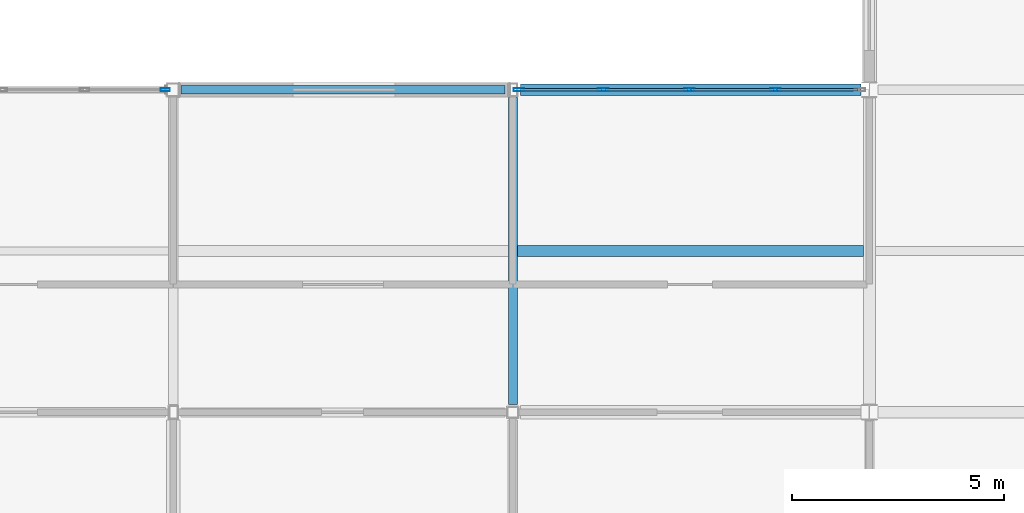
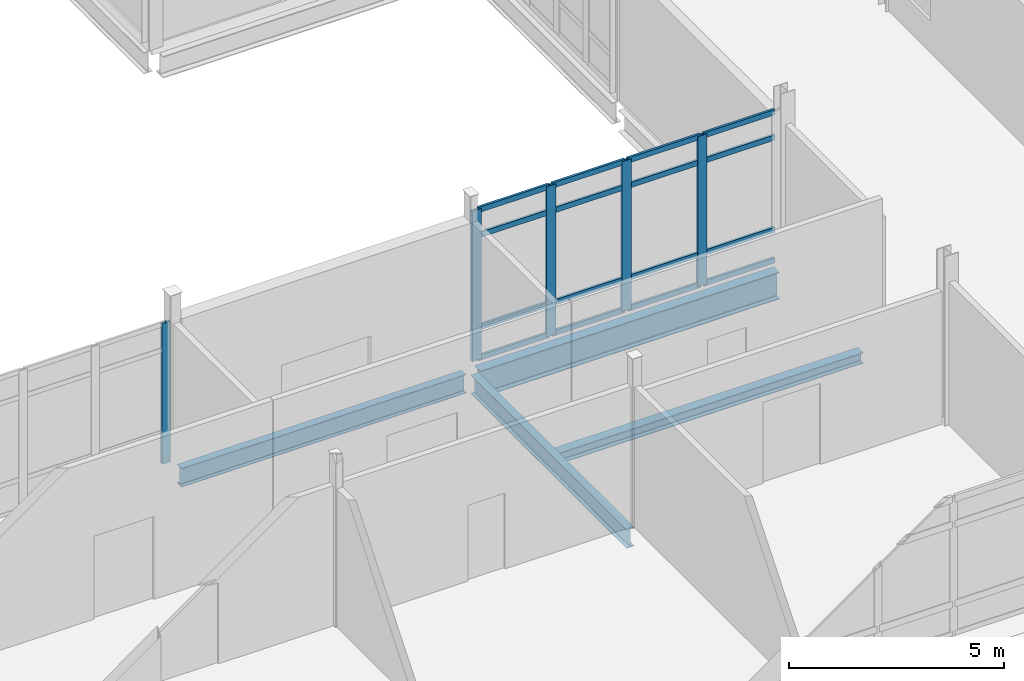
# One storey, part 72 of 186: 21 members, 4 beams, 2 elements without a shape of their own.
"""IFC4 building model written with IfcOpenShell, lengths in metres."""

import ifcopenshell
import ifcopenshell.guid

model = None  # the IFC model being written
_history = None  # IfcOwnerHistory: only IFC2X3 demands one
_inside = {}  # id of a spatial element -> (the spatial element, [elements in it])
_under = {}  # id of a project, library or spatial element -> (it, [spatial elements below it])
_declared = {}  # id of a project -> (the project, [libraries it declares])
_typed = {}  # id of a type object -> (the type object, [elements of that type])
_made_of = {}  # id of a material, layer set ... -> (it, [elements and type objects made of it])


def new_model(schema):
    """Start an empty IFC model of exactly this schema.

    Asked for "IFC4X3", IfcOpenShell would pick the latest addendum, in which some entities
    have other attributes; the version numbers below select the first issue.
    IFC2X3 requires an IfcOwnerHistory on every rooted entity: one is made here for all.
    """
    global model, _history
    if schema == "IFC4X3":
        model = ifcopenshell.file(schema_version=(4, 3, 0, 0))
    else:
        model = ifcopenshell.file(schema=schema)
    _inside.clear()
    _under.clear()
    _declared.clear()
    _typed.clear()
    _made_of.clear()
    _history = None
    if model.schema == "IFC2X3":
        org = make("IfcOrganization", Name="unknown")
        user = make(
            "IfcPersonAndOrganization",
            ThePerson=make("IfcPerson", FamilyName="unknown"),
            TheOrganization=org,
        )
        app = make(
            "IfcApplication",
            ApplicationDeveloper=org,
            Version="unknown",
            ApplicationFullName="unknown",
            ApplicationIdentifier="unknown",
        )
        _history = make(
            "IfcOwnerHistory",
            OwningUser=user,
            OwningApplication=app,
            ChangeAction="ADDED",
            CreationDate=0,
        )
    return model


def make(cls, **values):
    """One entity of the class cls with the attributes given. An attribute that is None is left unset."""
    return model.create_entity(
        cls, **{name: value for name, value in values.items() if value is not None}
    )


def rooted(cls, **values):
    """An entity with a GlobalId (a new one), such as an element, a storey or a relation."""
    return make(cls, GlobalId=ifcopenshell.guid.new(), OwnerHistory=_history, **values)


def si_unit(unit_type, name, prefix=None):
    """IfcSIUnit, for example si_unit("LENGTHUNIT", "METRE", prefix="MILLI")."""
    return make("IfcSIUnit", UnitType=unit_type, Prefix=prefix, Name=name)


def assignment(units):
    """IfcUnitAssignment: the units of a project."""
    return None if units is None else make("IfcUnitAssignment", Units=units)


def point(xyz):
    """IfcCartesianPoint."""
    return None if xyz is None else make("IfcCartesianPoint", Coordinates=xyz)


def direction(xyz):
    """IfcDirection."""
    return None if xyz is None else make("IfcDirection", DirectionRatios=xyz)


def frame(location, z_axis=None, x_axis=None):
    """IfcAxis2Placement3D, a coordinate frame: its origin and axes. An axis left out is left unset."""
    return make(
        "IfcAxis2Placement3D",
        Location=point(location),
        Axis=direction(z_axis),
        RefDirection=direction(x_axis),
    )


def frame_2d(location, x_axis=None):
    """IfcAxis2Placement2D, a coordinate frame in the plane: its origin and x axis."""
    return make(
        "IfcAxis2Placement2D", Location=point(location), RefDirection=direction(x_axis)
    )


def origin():
    """The frame at (0, 0, 0) with its axes left unset."""
    return frame((0.0, 0.0, 0.0))


def origin_2d():
    """The frame at (0, 0) in the plane with its x axis left unset."""
    return frame_2d((0.0, 0.0))


def place(relative_to, where):
    """IfcLocalPlacement: puts the frame where relative to a parent placement (None: the world)."""
    return make(
        "IfcLocalPlacement", PlacementRelTo=relative_to, RelativePlacement=where
    )


def context(
    kind, dimensions, precision=None, world=None, true_north=None, identifier=None
):
    """IfcGeometricRepresentationContext, for example the 3D "Model" context."""
    return make(
        "IfcGeometricRepresentationContext",
        ContextIdentifier=identifier,
        ContextType=kind,
        CoordinateSpaceDimension=dimensions,
        Precision=precision,
        WorldCoordinateSystem=world,
        TrueNorth=true_north,
    )


def subcontext(parent, identifier, kind, view, scale=None):
    """IfcGeometricRepresentationSubContext, for example "Body" below "Model"."""
    return make(
        "IfcGeometricRepresentationSubContext",
        ContextIdentifier=identifier,
        ContextType=kind,
        ParentContext=parent,
        TargetScale=scale,
        TargetView=view,
    )


def project(units=None, contexts=None):
    """IfcProject with its units and contexts."""
    return rooted(
        "IfcProject",
        Name="project",
        RepresentationContexts=contexts,
        UnitsInContext=assignment(units),
    )


def spatial(cls, under=None, at=None, **own):
    """A site, building, storey or space (cls), placed at a placement, below another one or the project."""
    s = rooted(cls, ObjectPlacement=at, **own)
    if under is not None:
        _under.setdefault(under.id(), (under, []))[1].append(s)
    return s


def profile(cls, at=None, kind="AREA", **sizes):
    """A parametric profile (cls). Its sizes go by their IFC names, for example OverallWidth=200.0."""
    return make(cls, ProfileType=kind, Position=at, **sizes)


def hollow_rectangle(**sizes):
    """IfcRectangleHollowProfileDef."""
    return profile("IfcRectangleHollowProfileDef", **sizes)


def i_section(**sizes):
    """IfcIShapeProfileDef."""
    return profile("IfcIShapeProfileDef", **sizes)


def extrude(swept, where, along, depth):
    """IfcExtrudedAreaSolid: the profile swept, set in the frame where, extruded along a direction by depth."""
    return make(
        "IfcExtrudedAreaSolid",
        SweptArea=swept,
        Position=where,
        ExtrudedDirection=direction(along),
        Depth=depth,
    )


def shape(context_of_items, identifier, shape_type, items):
    """IfcShapeRepresentation: the items that make up one representation, for example the "Body"."""
    return make(
        "IfcShapeRepresentation",
        ContextOfItems=context_of_items,
        RepresentationIdentifier=identifier,
        RepresentationType=shape_type,
        Items=items,
    )


def material(Name=None, Category=None):
    """IfcMaterial."""
    return make("IfcMaterial", Name=Name, Category=Category)


def layer(
    of_material, thickness, ventilated=None, Name=None, Category=None, Priority=None
):
    """IfcMaterialLayer: one layer of a wall or slab, of a material (None: an air gap)."""
    return make(
        "IfcMaterialLayer",
        Material=of_material,
        LayerThickness=thickness,
        IsVentilated=ventilated,
        Name=Name,
        Category=Category,
        Priority=Priority,
    )


def layer_set(layers, Name=None):
    """IfcMaterialLayerSet."""
    return make("IfcMaterialLayerSet", MaterialLayers=layers, LayerSetName=Name)


def material_profile(
    of_material, cross_section, Name=None, Category=None, Priority=None
):
    """IfcMaterialProfile: a cross section and its material."""
    return make(
        "IfcMaterialProfile",
        Name=Name,
        Material=of_material,
        Profile=cross_section,
        Priority=Priority,
        Category=Category,
    )


def profile_set(profiles, Name=None, composite=None):
    """IfcMaterialProfileSet."""
    return make(
        "IfcMaterialProfileSet",
        Name=Name,
        MaterialProfiles=profiles,
        CompositeProfile=composite,
    )


def made_of(thing, what):
    """Note that an element or type object is made of a material, layer set ...; save() writes the relation."""
    if what is not None:
        _made_of.setdefault(what.id(), (what, []))[1].append(thing)
    return thing


def type_object(cls, material=None, **own):
    """A type object (cls), such as IfcWallType, which elements share."""
    return made_of(rooted(cls, **own), material)


def element(
    cls,
    number,
    at=None,
    inside=None,
    cuts=None,
    type_object=None,
    material=None,
    context=None,
    identifier="Body",
    shape_type=None,
    held_by="IfcProductDefinitionShape",
    body=None,
    shapes=None,
    **own,
):
    """One element of the class cls, such as IfcWall. Its Tag is "e" and its number.

    at: its placement. inside: the storey or other place that contains it. cuts: it is an
    opening in that element (IfcRelVoidsElement). A single representation is given by context,
    identifier, shape_type and body (its items); several are given by shapes. held_by: the class
    of the entity that holds the representations. save() writes the other relations.
    """
    e = rooted(cls, Tag="e%d" % number, ObjectPlacement=at, **own)
    if body is not None:
        shapes = [shape(context, identifier, shape_type, body)]
    if shapes is not None:
        e.Representation = make(held_by, Representations=shapes)
    if inside is not None:
        _inside.setdefault(inside.id(), (inside, []))[1].append(e)
    if cuts is not None:
        rooted(
            "IfcRelVoidsElement", RelatingBuildingElement=cuts, RelatedOpeningElement=e
        )
    if type_object is not None:
        _typed.setdefault(type_object.id(), (type_object, []))[1].append(e)
    return made_of(e, material)


def aggregate(whole, parts):
    """IfcRelAggregates: a whole, such as a stair, and the parts it consists of."""
    return rooted("IfcRelAggregates", RelatingObject=whole, RelatedObjects=parts)


def save(model, path):
    """Write the relations noted so far, then the file.

    IfcRelAggregates (storeys below a building ...), IfcRelContainedInSpatialStructure (elements
    in a storey), IfcRelDefinesByType, IfcRelAssociatesMaterial and IfcRelDeclares: one each for
    every whole, place, type object, material and project.
    """
    for whole, parts in _under.values():
        aggregate(whole, parts)
    for where, things in _inside.values():
        rooted(
            "IfcRelContainedInSpatialStructure",
            RelatedElements=things,
            RelatingStructure=where,
        )
    for kind, things in _typed.values():
        rooted("IfcRelDefinesByType", RelatedObjects=things, RelatingType=kind)
    for what, things in _made_of.values():
        rooted("IfcRelAssociatesMaterial", RelatedObjects=things, RelatingMaterial=what)
    for by, libraries in _declared.values():
        rooted("IfcRelDeclares", RelatingContext=by, RelatedDefinitions=libraries)
    model.write(path)


model = new_model("IFC4")

# Units and contexts
model_context = context("Model", 3, precision=1e-05, world=origin(), true_north=direction((0.0, 1.0)))
body_context = subcontext(model_context, "Body", "Model", "MODEL_VIEW")
ifc_project = project(units=[si_unit("LENGTHUNIT", "METRE"), si_unit("AREAUNIT", "SQUARE_METRE"), si_unit("VOLUMEUNIT", "CUBIC_METRE"), si_unit("PLANEANGLEUNIT", "RADIAN"), si_unit("MASSUNIT", "GRAM", prefix="KILO")], contexts=[model_context])

# Site, building, storey
site_placement = place(None, origin())
site = spatial("IfcSite", under=ifc_project, at=site_placement, CompositionType="ELEMENT")
building_placement = place(site_placement, origin())
building = spatial("IfcBuilding", under=site, at=building_placement, Name="Calvrana Isthmian Art Gallery", CompositionType="ELEMENT")
storey_placement = place(building_placement, frame((0.0, 0.0, 5.39990234375)))
storey = spatial("IfcBuildingStorey", under=building, at=storey_placement, Name="L01", CompositionType="ELEMENT", Elevation=5.39990234375)

# Beams
ifc_material_1 = material(Name="Steel ASTM A992 Gr 50", Category="steel")
ifc_material_profile_1 = material_profile(ifc_material_1, i_section(OverallWidth=0.208984375, OverallDepth=0.532958984375, WebThickness=0.01025390625, FlangeThickness=0.015625, FilletRadius=0.02099609375, at=origin_2d()), Name="W21X62")
ifc_profile_set_1 = profile_set([ifc_material_profile_1], Name="Steel ASTM A992 Gr 50")
beam_type_1 = type_object("IfcBeamType", Name="BM-G-W21X62", PredefinedType="BEAM", material=ifc_profile_set_1)
beam_1_placement = place(storey_placement, frame((96.58544921875, 62.0, -0.511474609375), z_axis=(1.0, 0.0, 0.0), x_axis=(0.0, 1.0, 0.0)))
element("IfcBeam", 1, at=beam_1_placement, inside=storey, type_object=beam_type_1, Name="Girder X L01 13-14/I", PredefinedType="BEAM", context=body_context, shape_type="SweptSolid", body=[
    extrude(i_section(OverallWidth=0.208984375, OverallDepth=0.532958984375, WebThickness=0.01025390625, FlangeThickness=0.015625, FilletRadius=0.02099609375, at=origin_2d()), origin(), (0.0, 0.0, 1.0), 7.630615234375),
])
beam_2_placement = place(storey_placement, frame((104.39990234375, 54.58642578125, -0.511474609375), z_axis=(0.0, 1.0, 0.0), x_axis=(-1.0, 0.0, 0.0)))
element("IfcBeam", 2, at=beam_2_placement, inside=storey, type_object=beam_type_1, Name="Girder Y L01 14/H-I", PredefinedType="BEAM", context=body_context, shape_type="SweptSolid", body=[
    extrude(i_section(OverallWidth=0.208984375, OverallDepth=0.532958984375, WebThickness=0.01025390625, FlangeThickness=0.015625, FilletRadius=0.02099609375, at=origin_2d()), origin(), (0.0, 0.0, 1.0), 7.235595703125),
])
ifc_material_profile_2 = material_profile(ifc_material_1, i_section(OverallWidth=0.26708984375, OverallDepth=0.761962890625, WebThickness=0.014404296875, FlangeThickness=0.021484375, FilletRadius=0.02490234375, at=origin_2d()), Name="W30X116")
ifc_profile_set_2 = profile_set([ifc_material_profile_2], Name="Steel ASTM A992 Gr 50")
beam_type_2 = type_object("IfcBeamType", Name="BM-G-W30X116", PredefinedType="BEAM", material=ifc_profile_set_2)
beam_3_placement = place(storey_placement, frame((104.583984375, 62.0, -0.64599609375), z_axis=(1.0, 0.0, 0.0), x_axis=(0.0, 1.0, 0.0)))
element("IfcBeam", 3, at=beam_3_placement, inside=storey, type_object=beam_type_2, Name="Girder X L01 14-15/I", PredefinedType="BEAM", context=body_context, shape_type="SweptSolid", body=[
    extrude(i_section(OverallWidth=0.26708984375, OverallDepth=0.761962890625, WebThickness=0.014404296875, FlangeThickness=0.021484375, FilletRadius=0.02490234375, at=origin_2d()), origin(), (0.0, 0.0, 1.0), 8.0166015625),
])
ifc_material_profile_3 = material_profile(ifc_material_1, i_section(OverallWidth=0.25390625, OverallDepth=0.306884765625, WebThickness=0.0087890625, FlangeThickness=0.0146484375, FilletRadius=0.01611328125, at=origin_2d()), Name="W12X53")
ifc_profile_set_3 = profile_set([ifc_material_profile_3], Name="Steel ASTM A992 Gr 50")
beam_type_3 = type_object("IfcBeamType", Name="BM-J-W12X53", PredefinedType="JOIST", material=ifc_profile_set_3)
beam_4_placement = place(storey_placement, frame((104.50439453125, 58.199951171875, -0.41845703125), z_axis=(1.0, 0.0, 0.0), x_axis=(0.0, 1.0, 0.0)))
element("IfcBeam", 4, at=beam_4_placement, inside=storey, type_object=beam_type_3, Name="Composite joist L01 bay 13-07", PredefinedType="JOIST", context=body_context, shape_type="SweptSolid", body=[
    extrude(i_section(OverallWidth=0.25390625, OverallDepth=0.306884765625, WebThickness=0.0087890625, FlangeThickness=0.0146484375, FilletRadius=0.01611328125, at=origin_2d()), origin(), (0.0, 0.0, 1.0), 8.156005859375),
])

# Curtain wall, member
ifc_material_2 = material(Name="Anodized bronze aluminium 6063-T6", Category="aluminium")
ifc_layer_1 = layer(ifc_material_2, 0.179931640625, Name="Anodized bronze aluminium 6063-T6")
ifc_layer_set_1 = layer_set([ifc_layer_1], Name="Anodized bronze aluminium 6063-T6")
curtain_wall_type_1 = type_object("IfcCurtainWallType", Name="CW-STICK-077X40", PredefinedType="NOTDEFINED", material=ifc_layer_set_1)
curtain_wall_1_placement = place(storey_placement, origin())
curtain_wall_1 = element("IfcCurtainWall", 5, at=curtain_wall_1_placement, inside=storey, type_object=curtain_wall_type_1, Name="Curtain wall CW-106", PredefinedType="NOTDEFINED")
ifc_material_profile_4 = material_profile(ifc_material_2, hollow_rectangle(XDim=0.074951171875, YDim=0.219970703125, WallThickness=0.0048828125, at=origin_2d()), Name="CWM75X220")
ifc_profile_set_4 = profile_set([ifc_material_profile_4], Name="Anodized bronze aluminium 6063-T6")
member_type_1 = type_object("IfcMemberType", Name="CWM-CWM75X220", PredefinedType="MULLION", material=ifc_profile_set_4)
member_1_placement = place(storey_placement, frame((96.210205078125, 62.0, 0.0), z_axis=(0.0, 0.0, 1.0), x_axis=(0.0, 1.0, 0.0)))
member_1 = element("IfcMember", 6, at=member_1_placement, type_object=member_type_1, Name="CW-106 mullion 5", PredefinedType="MULLION", context=body_context, shape_type="SweptSolid", body=[
    extrude(hollow_rectangle(XDim=0.074951171875, YDim=0.219970703125, WallThickness=0.0048828125, at=origin_2d()), origin(), (0.0, 0.0, 1.0), 3.987060546875),
])
aggregate(curtain_wall_1, [member_1])

# Curtain wall, members
ifc_layer_2 = layer(ifc_material_2, 0.179931640625, Name="Anodized bronze aluminium 6063-T6")
ifc_layer_set_2 = layer_set([ifc_layer_2], Name="Anodized bronze aluminium 6063-T6")
curtain_wall_type_2 = type_object("IfcCurtainWallType", Name="CW-UNIT-081X43", PredefinedType="USERDEFINED", material=ifc_layer_set_2)
curtain_wall_2_placement = place(storey_placement, origin())
curtain_wall_2 = element("IfcCurtainWall", 7, at=curtain_wall_2_placement, inside=storey, type_object=curtain_wall_type_2, Name="Curtain wall CW-107", ObjectType="UNITISED CURTAIN WALL", PredefinedType="USERDEFINED")
ifc_material_profile_5 = material_profile(ifc_material_2, hollow_rectangle(XDim=0.080078125, YDim=0.25, WallThickness=0.005615234375, at=origin_2d()), Name="CWM80X250")
ifc_profile_set_5 = profile_set([ifc_material_profile_5], Name="Anodized bronze aluminium 6063-T6")
member_type_2 = type_object("IfcMemberType", Name="CWM-CWM80X250", PredefinedType="MULLION", material=ifc_profile_set_5)
member_2_placement = place(storey_placement, frame((104.54150390625, 62.0, 0.0), z_axis=(0.0, 0.0, 1.0), x_axis=(0.0, 1.0, 0.0)))
member_2 = element("IfcMember", 8, at=member_2_placement, type_object=member_type_2, Name="CW-107 mullion 1", PredefinedType="MULLION", context=body_context, shape_type="SweptSolid", body=[
    extrude(hollow_rectangle(XDim=0.080078125, YDim=0.25, WallThickness=0.005615234375, at=origin_2d()), origin(), (0.0, 0.0, 1.0), 4.26611328125),
])
member_3_placement = place(storey_placement, frame((106.5302734375, 62.0, 0.0), z_axis=(0.0, 0.0, 1.0), x_axis=(0.0, 1.0, 0.0)))
member_3 = element("IfcMember", 9, at=member_3_placement, type_object=member_type_2, Name="CW-107 mullion 2", PredefinedType="MULLION", context=body_context, shape_type="SweptSolid", body=[
    extrude(hollow_rectangle(XDim=0.080078125, YDim=0.25, WallThickness=0.005615234375, at=origin_2d()), origin(), (0.0, 0.0, 1.0), 4.26611328125),
])
member_4_placement = place(storey_placement, frame((108.558837890625, 62.0, 0.0), z_axis=(0.0, 0.0, 1.0), x_axis=(0.0, 1.0, 0.0)))
member_4 = element("IfcMember", 10, at=member_4_placement, type_object=member_type_2, Name="CW-107 mullion 3", PredefinedType="MULLION", context=body_context, shape_type="SweptSolid", body=[
    extrude(hollow_rectangle(XDim=0.080078125, YDim=0.25, WallThickness=0.005615234375, at=origin_2d()), origin(), (0.0, 0.0, 1.0), 4.26611328125),
])
member_5_placement = place(storey_placement, frame((110.58740234375, 62.0, 0.0), z_axis=(0.0, 0.0, 1.0), x_axis=(0.0, 1.0, 0.0)))
member_5 = element("IfcMember", 11, at=member_5_placement, type_object=member_type_2, Name="CW-107 mullion 4", PredefinedType="MULLION", context=body_context, shape_type="SweptSolid", body=[
    extrude(hollow_rectangle(XDim=0.080078125, YDim=0.25, WallThickness=0.005615234375, at=origin_2d()), origin(), (0.0, 0.0, 1.0), 4.26611328125),
])
ifc_material_profile_6 = material_profile(ifc_material_2, hollow_rectangle(XDim=0.06494140625, YDim=0.14990234375, WallThickness=0.00390625, at=origin_2d()), Name="CWT65X150")
ifc_profile_set_6 = profile_set([ifc_material_profile_6], Name="Anodized bronze aluminium 6063-T6")
member_type_3 = type_object("IfcMemberType", Name="CWT-CWT65X150", PredefinedType="USERDEFINED", material=ifc_profile_set_6)
member_6_placement = place(storey_placement, frame((104.58154296875, 62.0, 0.03271484375), z_axis=(1.0, 0.0, 0.0), x_axis=(0.0, 1.0, 0.0)))
member_6 = element("IfcMember", 12, at=member_6_placement, type_object=member_type_3, Name="CW-107 transom 1.1", ObjectType="TRANSOM", PredefinedType="USERDEFINED", context=body_context, shape_type="SweptSolid", body=[
    extrude(hollow_rectangle(XDim=0.06494140625, YDim=0.14990234375, WallThickness=0.00390625, at=origin_2d()), origin(), (0.0, 0.0, 1.0), 1.90869140625),
])
member_7_placement = place(storey_placement, frame((104.58154296875, 62.0, 0.900146484375), z_axis=(1.0, 0.0, 0.0), x_axis=(0.0, 1.0, 0.0)))
member_7 = element("IfcMember", 13, at=member_7_placement, type_object=member_type_3, Name="CW-107 transom 1.2", ObjectType="TRANSOM", PredefinedType="USERDEFINED", context=body_context, shape_type="SweptSolid", body=[
    extrude(hollow_rectangle(XDim=0.06494140625, YDim=0.14990234375, WallThickness=0.00390625, at=origin_2d()), origin(), (0.0, 0.0, 1.0), 1.90869140625),
])
member_8_placement = place(storey_placement, frame((104.58154296875, 62.0, 3.51611328125), z_axis=(1.0, 0.0, 0.0), x_axis=(0.0, 1.0, 0.0)))
member_8 = element("IfcMember", 14, at=member_8_placement, type_object=member_type_3, Name="CW-107 transom 1.3", ObjectType="TRANSOM", PredefinedType="USERDEFINED", context=body_context, shape_type="SweptSolid", body=[
    extrude(hollow_rectangle(XDim=0.06494140625, YDim=0.14990234375, WallThickness=0.00390625, at=origin_2d()), origin(), (0.0, 0.0, 1.0), 1.90869140625),
])
member_9_placement = place(storey_placement, frame((104.58154296875, 62.0, 4.233642578125), z_axis=(1.0, 0.0, 0.0), x_axis=(0.0, 1.0, 0.0)))
member_9 = element("IfcMember", 15, at=member_9_placement, type_object=member_type_3, Name="CW-107 transom 1.4", ObjectType="TRANSOM", PredefinedType="USERDEFINED", context=body_context, shape_type="SweptSolid", body=[
    extrude(hollow_rectangle(XDim=0.06494140625, YDim=0.14990234375, WallThickness=0.00390625, at=origin_2d()), origin(), (0.0, 0.0, 1.0), 1.90869140625),
])
member_10_placement = place(storey_placement, frame((106.5703125, 62.0, 0.03271484375), z_axis=(1.0, 0.0, 0.0), x_axis=(0.0, 1.0, 0.0)))
member_10 = element("IfcMember", 16, at=member_10_placement, type_object=member_type_3, Name="CW-107 transom 2.1", ObjectType="TRANSOM", PredefinedType="USERDEFINED", context=body_context, shape_type="SweptSolid", body=[
    extrude(hollow_rectangle(XDim=0.06494140625, YDim=0.14990234375, WallThickness=0.00390625, at=origin_2d()), origin(), (0.0, 0.0, 1.0), 1.948486328125),
])
member_11_placement = place(storey_placement, frame((106.5703125, 62.0, 0.900146484375), z_axis=(1.0, 0.0, 0.0), x_axis=(0.0, 1.0, 0.0)))
member_11 = element("IfcMember", 17, at=member_11_placement, type_object=member_type_3, Name="CW-107 transom 2.2", ObjectType="TRANSOM", PredefinedType="USERDEFINED", context=body_context, shape_type="SweptSolid", body=[
    extrude(hollow_rectangle(XDim=0.06494140625, YDim=0.14990234375, WallThickness=0.00390625, at=origin_2d()), origin(), (0.0, 0.0, 1.0), 1.948486328125),
])
member_12_placement = place(storey_placement, frame((106.5703125, 62.0, 3.51611328125), z_axis=(1.0, 0.0, 0.0), x_axis=(0.0, 1.0, 0.0)))
member_12 = element("IfcMember", 18, at=member_12_placement, type_object=member_type_3, Name="CW-107 transom 2.3", ObjectType="TRANSOM", PredefinedType="USERDEFINED", context=body_context, shape_type="SweptSolid", body=[
    extrude(hollow_rectangle(XDim=0.06494140625, YDim=0.14990234375, WallThickness=0.00390625, at=origin_2d()), origin(), (0.0, 0.0, 1.0), 1.948486328125),
])
member_13_placement = place(storey_placement, frame((106.5703125, 62.0, 4.233642578125), z_axis=(1.0, 0.0, 0.0), x_axis=(0.0, 1.0, 0.0)))
member_13 = element("IfcMember", 19, at=member_13_placement, type_object=member_type_3, Name="CW-107 transom 2.4", ObjectType="TRANSOM", PredefinedType="USERDEFINED", context=body_context, shape_type="SweptSolid", body=[
    extrude(hollow_rectangle(XDim=0.06494140625, YDim=0.14990234375, WallThickness=0.00390625, at=origin_2d()), origin(), (0.0, 0.0, 1.0), 1.948486328125),
])
member_14_placement = place(storey_placement, frame((108.598876953125, 62.0, 0.03271484375), z_axis=(1.0, 0.0, 0.0), x_axis=(0.0, 1.0, 0.0)))
member_14 = element("IfcMember", 20, at=member_14_placement, type_object=member_type_3, Name="CW-107 transom 3.1", ObjectType="TRANSOM", PredefinedType="USERDEFINED", context=body_context, shape_type="SweptSolid", body=[
    extrude(hollow_rectangle(XDim=0.06494140625, YDim=0.14990234375, WallThickness=0.00390625, at=origin_2d()), origin(), (0.0, 0.0, 1.0), 1.948486328125),
])
member_15_placement = place(storey_placement, frame((108.598876953125, 62.0, 0.900146484375), z_axis=(1.0, 0.0, 0.0), x_axis=(0.0, 1.0, 0.0)))
member_15 = element("IfcMember", 21, at=member_15_placement, type_object=member_type_3, Name="CW-107 transom 3.2", ObjectType="TRANSOM", PredefinedType="USERDEFINED", context=body_context, shape_type="SweptSolid", body=[
    extrude(hollow_rectangle(XDim=0.06494140625, YDim=0.14990234375, WallThickness=0.00390625, at=origin_2d()), origin(), (0.0, 0.0, 1.0), 1.948486328125),
])
member_16_placement = place(storey_placement, frame((108.598876953125, 62.0, 3.51611328125), z_axis=(1.0, 0.0, 0.0), x_axis=(0.0, 1.0, 0.0)))
member_16 = element("IfcMember", 22, at=member_16_placement, type_object=member_type_3, Name="CW-107 transom 3.3", ObjectType="TRANSOM", PredefinedType="USERDEFINED", context=body_context, shape_type="SweptSolid", body=[
    extrude(hollow_rectangle(XDim=0.06494140625, YDim=0.14990234375, WallThickness=0.00390625, at=origin_2d()), origin(), (0.0, 0.0, 1.0), 1.948486328125),
])
member_17_placement = place(storey_placement, frame((108.598876953125, 62.0, 4.233642578125), z_axis=(1.0, 0.0, 0.0), x_axis=(0.0, 1.0, 0.0)))
member_17 = element("IfcMember", 23, at=member_17_placement, type_object=member_type_3, Name="CW-107 transom 3.4", ObjectType="TRANSOM", PredefinedType="USERDEFINED", context=body_context, shape_type="SweptSolid", body=[
    extrude(hollow_rectangle(XDim=0.06494140625, YDim=0.14990234375, WallThickness=0.00390625, at=origin_2d()), origin(), (0.0, 0.0, 1.0), 1.948486328125),
])
member_18_placement = place(storey_placement, frame((110.62744140625, 62.0, 0.03271484375), z_axis=(1.0, 0.0, 0.0), x_axis=(0.0, 1.0, 0.0)))
member_18 = element("IfcMember", 24, at=member_18_placement, type_object=member_type_3, Name="CW-107 transom 4.1", ObjectType="TRANSOM", PredefinedType="USERDEFINED", context=body_context, shape_type="SweptSolid", body=[
    extrude(hollow_rectangle(XDim=0.06494140625, YDim=0.14990234375, WallThickness=0.00390625, at=origin_2d()), origin(), (0.0, 0.0, 1.0), 1.908447265625),
])
member_19_placement = place(storey_placement, frame((110.62744140625, 62.0, 0.900146484375), z_axis=(1.0, 0.0, 0.0), x_axis=(0.0, 1.0, 0.0)))
member_19 = element("IfcMember", 25, at=member_19_placement, type_object=member_type_3, Name="CW-107 transom 4.2", ObjectType="TRANSOM", PredefinedType="USERDEFINED", context=body_context, shape_type="SweptSolid", body=[
    extrude(hollow_rectangle(XDim=0.06494140625, YDim=0.14990234375, WallThickness=0.00390625, at=origin_2d()), origin(), (0.0, 0.0, 1.0), 1.908447265625),
])
member_20_placement = place(storey_placement, frame((110.62744140625, 62.0, 3.51611328125), z_axis=(1.0, 0.0, 0.0), x_axis=(0.0, 1.0, 0.0)))
member_20 = element("IfcMember", 26, at=member_20_placement, type_object=member_type_3, Name="CW-107 transom 4.3", ObjectType="TRANSOM", PredefinedType="USERDEFINED", context=body_context, shape_type="SweptSolid", body=[
    extrude(hollow_rectangle(XDim=0.06494140625, YDim=0.14990234375, WallThickness=0.00390625, at=origin_2d()), origin(), (0.0, 0.0, 1.0), 1.908447265625),
])
member_21_placement = place(storey_placement, frame((110.62744140625, 62.0, 4.233642578125), z_axis=(1.0, 0.0, 0.0), x_axis=(0.0, 1.0, 0.0)))
member_21 = element("IfcMember", 27, at=member_21_placement, type_object=member_type_3, Name="CW-107 transom 4.4", ObjectType="TRANSOM", PredefinedType="USERDEFINED", context=body_context, shape_type="SweptSolid", body=[
    extrude(hollow_rectangle(XDim=0.06494140625, YDim=0.14990234375, WallThickness=0.00390625, at=origin_2d()), origin(), (0.0, 0.0, 1.0), 1.908447265625),
])
aggregate(curtain_wall_2, [member_2, member_3, member_4, member_5, member_6, member_7, member_8, member_9, member_10, member_11, member_12, member_13, member_14, member_15, member_16, member_17, member_18, member_19, member_20, member_21])

save(model, "model.ifc")
